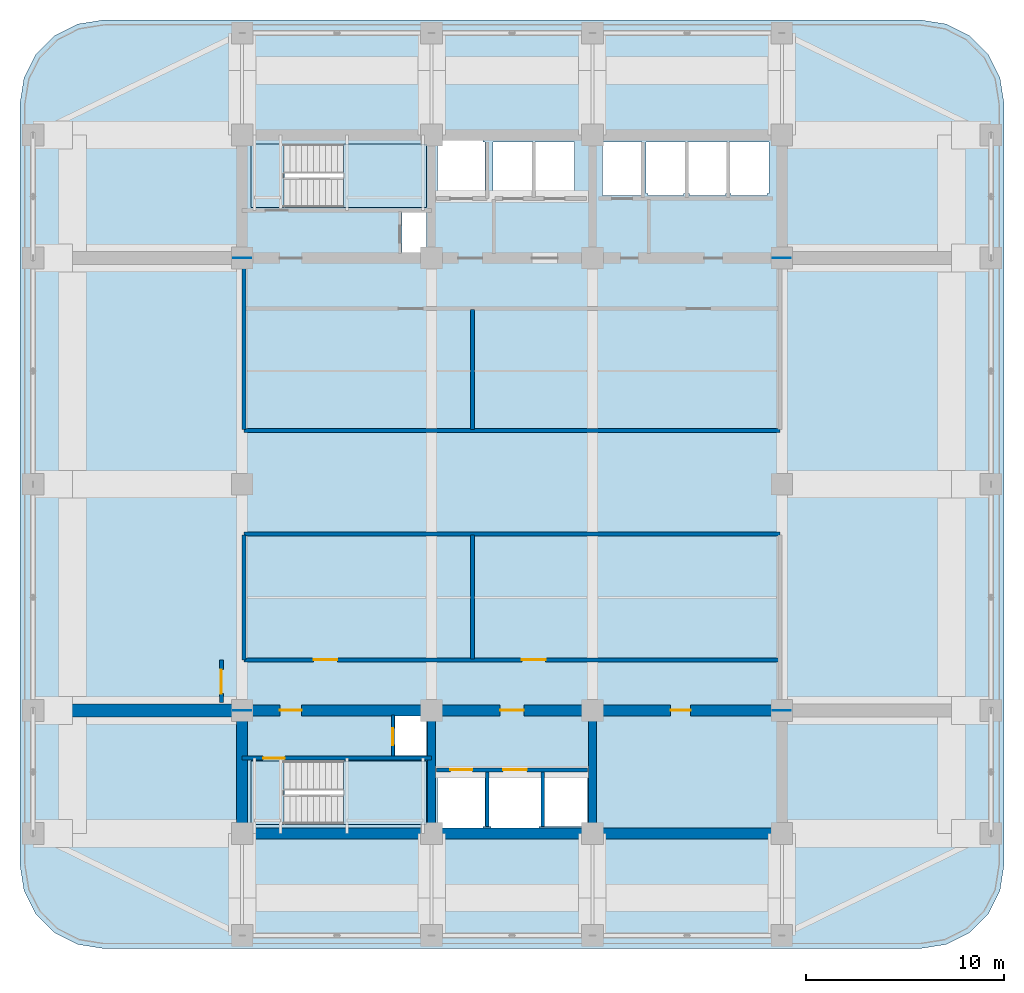
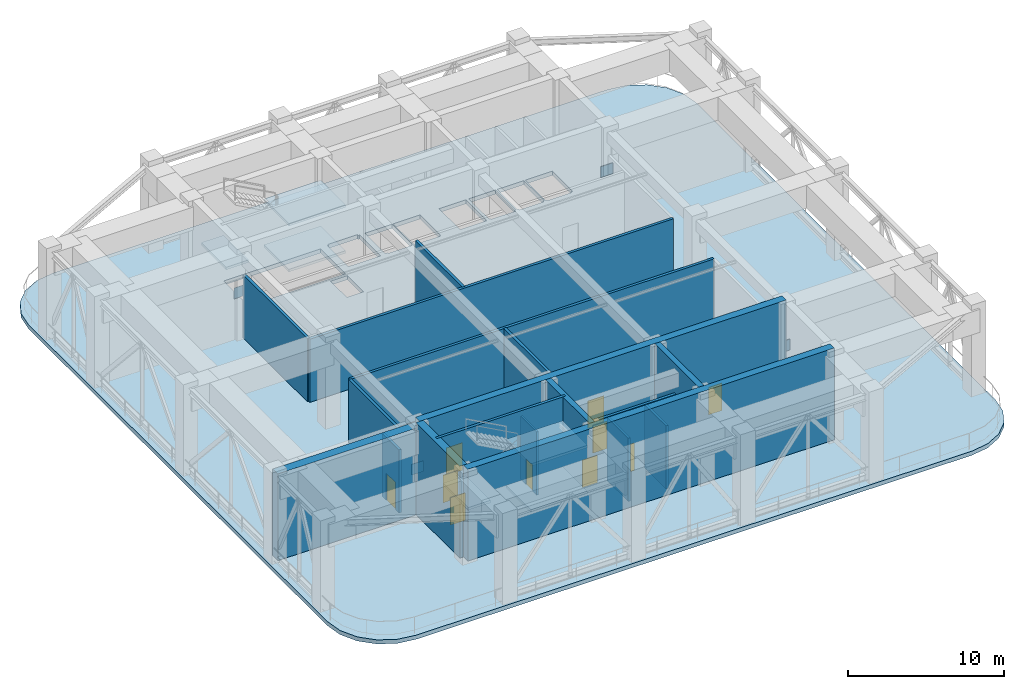
# One storey, part 10 of 20: 19 walls, 10 doors, 7 slabs, 4 plates, 10 openings, 2 elements without a shape of their own.
"""IFC4 building model written with IfcOpenShell, lengths in metres."""

from ifc_helpers import new_model, si_unit, direction, frame, frame_2d, origin, origin_2d, place, context, subcontext, project, spatial, polyline, rectangle, outline, extrude, material, layer, layer_set, type_object, element, fill, aggregate, save


model = new_model("IFC4")

# Units and contexts
model_context = context("Model", 3, precision=1e-05, world=origin(), true_north=direction((0.0, 1.0)))
body_context = subcontext(model_context, "Body", "Model", "MODEL_VIEW")
ifc_project = project(units=[si_unit("LENGTHUNIT", "METRE"), si_unit("AREAUNIT", "SQUARE_METRE"), si_unit("VOLUMEUNIT", "CUBIC_METRE"), si_unit("PLANEANGLEUNIT", "RADIAN"), si_unit("MASSUNIT", "GRAM", prefix="KILO")], contexts=[model_context])

# Site, building, storey
site_placement = place(None, origin())
site = spatial("IfcSite", under=ifc_project, at=site_placement, CompositionType="ELEMENT")
building_placement = place(site_placement, origin())
building = spatial("IfcBuilding", under=site, at=building_placement, Name="Svetorya Sky Lyceum", CompositionType="ELEMENT")
storey_placement = place(building_placement, frame((0.0, 0.0, 136.39990234375)))
storey = spatial("IfcBuildingStorey", under=building, at=storey_placement, Name="L34", CompositionType="ELEMENT", Elevation=136.39990234375)

# Plates
ifc_material_1 = material(Name="Steel S355", Category="steel")
ifc_layer_1 = layer(ifc_material_1, 0.031982421875)
ifc_layer_set_1 = layer_set([ifc_layer_1], Name="Steel S355")
plate_type = type_object("IfcPlateType", Name="PL-GUSSET-32", PredefinedType="USERDEFINED", material=ifc_layer_set_1)
for number, where, z_axis, x_axis, name in (
    (1, (25.60009765625, 16.800048828125, 2.97509765625), (0.0, 0.0, 1.0), (1.0, 0.0, 0.0), "L34 Outrigger Core Gusset Plate 1"),
    (2, (52.800048828125, 16.800048828125, 2.97509765625), (0.0, 0.0, 1.0), (1.0, 0.0, 0.0), "L34 Outrigger Core Gusset Plate 2"),
    (3, (25.60009765625, 39.60009765625, 2.97509765625), (0.0, 0.0, 1.0), (1.0, 0.0, 0.0), "L34 Outrigger Core Gusset Plate 3"),
    (4, (52.800048828125, 39.60009765625, 2.97509765625), (0.0, 0.0, 1.0), (1.0, 0.0, 0.0), "L34 Outrigger Core Gusset Plate 4"),
):
    element("IfcPlate", number, at=place(storey_placement, frame(where, z_axis=z_axis, x_axis=x_axis)), inside=storey, type_object=plate_type, Name=name, ObjectType="GUSSET", PredefinedType="USERDEFINED", context=body_context, shape_type="SweptSolid", body=[
        extrude(rectangle(XDim=0.89990234375, YDim=0.031982421875, at=origin_2d()), origin(), (0.0, 0.0, 1.0), 0.85009765625),
    ])

# Slab
ifc_material_2 = material(Name="Concrete C50/60", Category="concrete")
ifc_layer_2 = layer(ifc_material_2, 0.320068359375)
ifc_layer_set_2 = layer_set([ifc_layer_2], Name="Concrete C50/60")
slab_type_1 = type_object("IfcSlabType", Name="SL-PRT-320", PredefinedType="FLOOR", material=ifc_layer_set_2)
slab_1_placement = place(storey_placement, frame((0.0, 0.0, -0.31982421875)))
element("IfcSlab", 5, at=slab_1_placement, inside=storey, type_object=slab_type_1, Name="L34 Structural Floor Slab", PredefinedType="FLOOR", context=body_context, shape_type="SweptSolid", body=[
    extrude(outline(polyline([(14.39990234375, 9.0), (14.605712890625, 7.7021484375), (15.2021484375, 6.53125), (16.13134765625, 5.60205078125), (17.302001953125, 5.005615234375), (18.60009765625, 4.800048828125), (59.800048828125, 4.800048828125), (61.097900390625, 5.005615234375), (62.268798828125, 5.60205078125), (63.197998046875, 6.53125), (63.79443359375, 7.7021484375), (64.0, 9.0), (64.0, 47.39990234375), (63.79443359375, 48.697998046875), (63.197998046875, 49.86865234375), (62.268798828125, 50.7978515625), (61.097900390625, 51.394287109375), (59.800048828125, 51.60009765625), (18.60009765625, 51.60009765625), (17.302001953125, 51.394287109375), (16.13134765625, 50.7978515625), (15.2021484375, 49.86865234375), (14.605712890625, 48.697998046875), (14.39990234375, 47.39990234375), (14.39990234375, 9.0)]), holes=[polyline([(37.85009765625, 10.949951171875), (37.75, 10.949951171875), (37.75, 10.85009765625), (35.550048828125, 10.85009765625), (35.550048828125, 10.949951171875), (35.449951171875, 10.949951171875), (35.449951171875, 13.64990234375), (35.550048828125, 13.64990234375), (37.75, 13.64990234375), (37.85009765625, 13.64990234375), (37.85009765625, 10.949951171875)]), polyline([(40.64990234375, 13.64990234375), (40.64990234375, 10.949951171875), (40.550048828125, 10.949951171875), (40.550048828125, 10.800048828125), (38.14990234375, 10.800048828125), (38.14990234375, 10.949951171875), (38.050048828125, 10.949951171875), (38.050048828125, 13.64990234375), (38.14990234375, 13.64990234375), (38.14990234375, 13.699951171875), (40.550048828125, 13.699951171875), (40.550048828125, 13.64990234375), (40.64990234375, 13.64990234375)]), polyline([(27.719970703125, 14.25), (34.89990234375, 14.25), (34.89990234375, 11.050048828125), (27.719970703125, 11.050048828125), (27.719970703125, 14.25)]), polyline([(33.300048828125, 14.52001953125), (33.300048828125, 16.580078125), (34.89990234375, 16.580078125), (34.89990234375, 14.52001953125), (33.300048828125, 14.52001953125)]), polyline([(33.64990234375, 41.89990234375), (34.89990234375, 41.89990234375), (34.89990234375, 39.820068359375), (33.64990234375, 39.820068359375), (33.64990234375, 41.89990234375)]), polyline([(27.719970703125, 45.35009765625), (34.89990234375, 45.35009765625), (34.89990234375, 42.14990234375), (27.719970703125, 42.14990234375), (27.719970703125, 45.35009765625)]), polyline([(37.75, 45.550048828125), (37.75, 45.449951171875), (37.85009765625, 45.449951171875), (37.85009765625, 42.75), (37.75, 42.75), (35.550048828125, 42.75), (35.449951171875, 42.75), (35.449951171875, 45.449951171875), (35.550048828125, 45.449951171875), (35.550048828125, 45.550048828125), (37.75, 45.550048828125)]), polyline([(38.39990234375, 42.85009765625), (38.25, 42.85009765625), (38.25, 45.449951171875), (38.39990234375, 45.449951171875), (40.199951171875, 45.449951171875), (40.25, 45.449951171875), (40.25, 42.85009765625), (40.199951171875, 42.85009765625), (40.199951171875, 42.75), (38.39990234375, 42.75), (38.39990234375, 42.85009765625)]), polyline([(40.85009765625, 13.64990234375), (43.0, 13.64990234375), (43.0, 10.949951171875), (40.85009765625, 10.949951171875), (40.85009765625, 13.64990234375)]), polyline([(40.39990234375, 42.85009765625), (40.35009765625, 42.85009765625), (40.35009765625, 45.449951171875), (40.39990234375, 45.449951171875), (42.300048828125, 45.449951171875), (42.35009765625, 45.449951171875), (42.35009765625, 42.85009765625), (42.300048828125, 42.85009765625), (42.300048828125, 42.75), (40.39990234375, 42.75), (40.39990234375, 42.85009765625)]), polyline([(43.75, 42.75), (43.75, 42.85009765625), (43.75, 45.449951171875), (45.699951171875, 45.449951171875), (45.75, 45.449951171875), (45.75, 42.85009765625), (45.699951171875, 42.85009765625), (45.699951171875, 42.75), (43.75, 42.75)]), polyline([(46.050048828125, 42.85009765625), (45.949951171875, 42.85009765625), (45.949951171875, 45.449951171875), (46.050048828125, 45.449951171875), (47.85009765625, 45.449951171875), (47.949951171875, 45.449951171875), (47.949951171875, 42.85009765625), (47.85009765625, 42.85009765625), (47.85009765625, 42.75), (46.050048828125, 42.75), (46.050048828125, 42.85009765625)]), polyline([(48.14990234375, 42.85009765625), (48.050048828125, 42.85009765625), (48.050048828125, 45.449951171875), (48.14990234375, 45.449951171875), (49.949951171875, 45.449951171875), (50.050048828125, 45.449951171875), (50.050048828125, 42.85009765625), (49.949951171875, 42.85009765625), (49.949951171875, 42.75), (48.14990234375, 42.75), (48.14990234375, 42.85009765625)]), polyline([(52.14990234375, 42.85009765625), (52.050048828125, 42.85009765625), (52.050048828125, 42.75), (50.25, 42.75), (50.25, 42.85009765625), (50.14990234375, 42.85009765625), (50.14990234375, 45.449951171875), (50.25, 45.449951171875), (52.050048828125, 45.449951171875), (52.14990234375, 45.449951171875), (52.14990234375, 42.85009765625)])]), origin(), (0.0, 0.0, 1.0), 0.31982421875),
])

# Stair, slabs
ifc_material_3 = material(Name="Concrete C40/50", Category="concrete")
stair_type_1 = type_object("IfcStairType", Name="STR-ST-S", PredefinedType="HALF_TURN_STAIR", material=ifc_material_3)
stair_1_placement = place(storey_placement, origin())
stair_1 = element("IfcStair", 6, at=stair_1_placement, inside=storey, type_object=stair_type_1, Name="L34 South Core Smoke-Free Exit Stair N2", PredefinedType="HALF_TURN_STAIR")
ifc_layer_3 = layer(ifc_material_3, 0.199951171875)
ifc_layer_set_3 = layer_set([ifc_layer_3], Name="Concrete C40/50")
slab_type_2 = type_object("IfcSlabType", Name="SL-STR-LAND-200", PredefinedType="LANDING", material=ifc_layer_set_3)
slab_2_placement = place(storey_placement, frame((0.0, 0.0, 1.60009765625)))
slab_2 = element("IfcSlab", 7, at=slab_2_placement, type_object=slab_type_2, Name="ST-S landing 1", PredefinedType="LANDING", context=body_context, shape_type="SweptSolid", body=[
    extrude(outline(polyline([(30.699951171875, 11.050048828125), (34.89990234375, 11.050048828125), (34.89990234375, 14.25), (30.699951171875, 14.25), (30.699951171875, 11.050048828125)])), origin(), (0.0, 0.0, 1.0), 0.199951171875),
])
slab_3_placement = place(storey_placement, frame((0.0, 0.0, 3.400146484375)))
slab_3 = element("IfcSlab", 8, at=slab_3_placement, type_object=slab_type_2, Name="ST-S landing 2", PredefinedType="LANDING", context=body_context, shape_type="SweptSolid", body=[
    extrude(outline(polyline([(26.050048828125, 11.050048828125), (27.699951171875, 11.050048828125), (27.699951171875, 14.25), (26.050048828125, 14.25), (26.050048828125, 11.050048828125)])), origin(), (0.0, 0.0, 1.0), 0.199951171875),
])
slab_4_placement = place(storey_placement, frame((0.0, 0.0, 5.2001953125)))
slab_4 = element("IfcSlab", 9, at=slab_4_placement, type_object=slab_type_2, Name="ST-S landing 3", PredefinedType="LANDING", context=body_context, shape_type="SweptSolid", body=[
    extrude(outline(polyline([(30.699951171875, 11.050048828125), (34.89990234375, 11.050048828125), (34.89990234375, 14.25), (30.699951171875, 14.25), (30.699951171875, 11.050048828125)])), origin(), (0.0, 0.0, 1.0), 0.199951171875),
])
aggregate(stair_1, [slab_2, slab_3, slab_4])

stair_type_2 = type_object("IfcStairType", Name="STR-ST-N", PredefinedType="HALF_TURN_STAIR", material=ifc_material_3)
stair_2_placement = place(storey_placement, origin())
stair_2 = element("IfcStair", 10, at=stair_2_placement, inside=storey, type_object=stair_type_2, Name="L34 North Core Smoke-Free Exit Stair N3", PredefinedType="HALF_TURN_STAIR")
slab_5_placement = place(storey_placement, frame((0.0, 0.0, 1.60009765625)))
slab_5 = element("IfcSlab", 11, at=slab_5_placement, type_object=slab_type_2, Name="ST-N landing 1", PredefinedType="LANDING", context=body_context, shape_type="SweptSolid", body=[
    extrude(outline(polyline([(30.699951171875, 42.14990234375), (34.89990234375, 42.14990234375), (34.89990234375, 45.35009765625), (30.699951171875, 45.35009765625), (30.699951171875, 42.14990234375)])), origin(), (0.0, 0.0, 1.0), 0.199951171875),
])
slab_6_placement = place(storey_placement, frame((0.0, 0.0, 3.400146484375)))
slab_6 = element("IfcSlab", 12, at=slab_6_placement, type_object=slab_type_2, Name="ST-N landing 2", PredefinedType="LANDING", context=body_context, shape_type="SweptSolid", body=[
    extrude(outline(polyline([(26.050048828125, 42.14990234375), (27.699951171875, 42.14990234375), (27.699951171875, 45.35009765625), (26.050048828125, 45.35009765625), (26.050048828125, 42.14990234375)])), origin(), (0.0, 0.0, 1.0), 0.199951171875),
])
slab_7_placement = place(storey_placement, frame((0.0, 0.0, 5.2001953125)))
slab_7 = element("IfcSlab", 13, at=slab_7_placement, type_object=slab_type_2, Name="ST-N landing 3", PredefinedType="LANDING", context=body_context, shape_type="SweptSolid", body=[
    extrude(outline(polyline([(30.699951171875, 42.14990234375), (34.89990234375, 42.14990234375), (34.89990234375, 45.35009765625), (30.699951171875, 45.35009765625), (30.699951171875, 42.14990234375)])), origin(), (0.0, 0.0, 1.0), 0.199951171875),
])
aggregate(stair_2, [slab_5, slab_6, slab_7])

# Walls
ifc_layer_4 = layer(ifc_material_3, 0.39990234375)
ifc_layer_set_4 = layer_set([ifc_layer_4], Name="Concrete C40/50")
wall_type_1 = type_object("IfcWallType", Name="WL-CORE-400", PredefinedType="SHEAR", material=ifc_layer_set_4)
for number, where, z_axis, x_axis, name in (
    (14, (35.14990234375, 10.875, 0.0), (0.0, 0.0, 1.0), (0.0, 1.0, 0.0), "L34 SC Internal Shear Web WEB1"),
    (15, (43.25, 10.875, 0.0), (0.0, 0.0, 1.0), (0.0, 1.0, 0.0), "L34 SC Internal Shear Web WEB2"),
):
    element("IfcWall", number, at=place(storey_placement, frame(where, z_axis=z_axis, x_axis=x_axis)), inside=storey, type_object=wall_type_1, Name=name, PredefinedType="SHEAR", context=body_context, shape_type="SweptSolid", body=[
        extrude(rectangle(XDim=5.64990234375, YDim=0.39990234375, at=frame_2d((2.824951171875, 0.0))), origin(), (0.0, 0.0, 1.0), 7.2001953125),
    ])
ifc_material_4 = material(Name="Concrete C60/75", Category="concrete")
ifc_layer_5 = layer(ifc_material_4, 0.550048828125)
ifc_layer_set_5 = layer_set([ifc_layer_5], Name="Concrete C60/75")
wall_type_2 = type_object("IfcWallType", Name="WL-CORE-550", PredefinedType="SHEAR", material=ifc_layer_set_5)
wall_1_placement = place(storey_placement, frame((52.800048828125, 10.60009765625, 0.0), z_axis=(0.0, 0.0, 1.0), x_axis=(-1.0, 0.0, 0.0)))
element("IfcWall", 16, at=wall_1_placement, inside=storey, type_object=wall_type_2, Name="L34 SC Outer Core Shear Wall", PredefinedType="SHEAR", context=body_context, shape_type="SweptSolid", body=[
    extrude(rectangle(XDim=27.199951171875, YDim=0.550048828125, at=frame_2d((13.60009765625, 0.0))), origin(), (0.0, 0.0, 1.0), 7.2001953125),
])
wall_2_placement = place(storey_placement, frame((25.60009765625, 10.875, 0.0), z_axis=(0.0, 0.0, 1.0), x_axis=(0.0, 1.0, 0.0)))
element("IfcWall", 17, at=wall_2_placement, inside=storey, type_object=wall_type_2, Name="L34 SC West Core Shear Wall", PredefinedType="SHEAR", context=body_context, shape_type="SweptSolid", body=[
    extrude(rectangle(XDim=5.64990234375, YDim=0.550048828125, at=frame_2d((2.824951171875, 0.0))), origin(), (0.0, 0.0, 1.0), 7.2001953125),
])

# Wall, openings, doors
wall_3_placement = place(storey_placement, frame((25.60009765625, 16.800048828125, 0.0), z_axis=(0.0, 0.0, 1.0), x_axis=(1.0, 0.0, 0.0)))
wall_3 = element("IfcWall", 18, at=wall_3_placement, inside=storey, type_object=wall_type_2, Name="L34 SC Inner Core Shear Wall", PredefinedType="SHEAR", context=body_context, shape_type="SweptSolid", body=[
    extrude(rectangle(XDim=27.199951171875, YDim=0.550048828125, at=frame_2d((13.60009765625, 0.0))), origin(), (0.0, 0.0, 1.0), 7.2001953125),
])
opening_1_placement = place(wall_3_placement, frame((1.89990234375, 0.0, 0.0)))
opening_1 = element("IfcOpeningElement", 19, at=opening_1_placement, cuts=wall_3, Name="Opening D-ST1", PredefinedType="OPENING", context=body_context, shape_type="SweptSolid", body=[
    extrude(rectangle(XDim=1.10009765625, YDim=2.14990234375, at=frame_2d((0.550048828125, 1.074951171875))), frame((0.0, 0.284912109375, 0.0), z_axis=(0.0, -1.0, 0.0), x_axis=(1.0, 0.0, 0.0)), (0.0, 0.0, 1.0), 0.570068359375),
])
opening_2_placement = place(wall_3_placement, frame((13.0, 0.0, 0.0)))
opening_2 = element("IfcOpeningElement", 20, at=opening_2_placement, cuts=wall_3, Name="Opening D-FL1", PredefinedType="OPENING", context=body_context, shape_type="SweptSolid", body=[
    extrude(rectangle(XDim=1.199951171875, YDim=2.14990234375, at=frame_2d((0.60009765625, 1.074951171875))), frame((0.0, 0.284912109375, 0.0), z_axis=(0.0, -1.0, 0.0), x_axis=(1.0, 0.0, 0.0)), (0.0, 0.0, 1.0), 0.570068359375),
])
opening_3_placement = place(wall_3_placement, frame((21.60009765625, 0.0, 0.0)))
opening_3 = element("IfcOpeningElement", 21, at=opening_3_placement, cuts=wall_3, Name="Opening D-RM2", PredefinedType="OPENING", context=body_context, shape_type="SweptSolid", body=[
    extrude(rectangle(XDim=1.0, YDim=2.14990234375, at=frame_2d((0.5, 1.074951171875))), frame((0.0, 0.284912109375, 0.0), z_axis=(0.0, -1.0, 0.0), x_axis=(1.0, 0.0, 0.0)), (0.0, 0.0, 1.0), 0.570068359375),
])
ifc_material_5 = material(Name="Powder-coated insulated galvanized stair fire door")
door_type_1 = type_object("IfcDoorType", Name="DR-FIRE-1100", OperationType="SINGLE_SWING_LEFT", PredefinedType="DOOR", material=ifc_material_5)
door_1_placement = place(opening_1_placement, origin())
door_1 = element("IfcDoor", 22, at=door_1_placement, inside=storey, type_object=door_type_1, Name="L34 South Stair Airlock Door", OperationType="SINGLE_SWING_RIGHT", OverallHeight=2.14990234375, OverallWidth=1.10009765625, PredefinedType="DOOR", context=body_context, shape_type="SweptSolid", body=[
    extrude(rectangle(XDim=1.10009765625, YDim=2.14990234375, at=frame_2d((0.550048828125, 1.074951171875))), frame((0.0, 0.02490234375, 0.0), z_axis=(0.0, -1.0, 0.0), x_axis=(1.0, 0.0, 0.0)), (0.0, 0.0, 1.0), 0.050048828125),
])
fill(opening_1, door_1)
ifc_material_6 = material(Name="Powder-coated insulated galvanized fire door")
door_type_2 = type_object("IfcDoorType", Name="DR-FIRE-1200", OperationType="SINGLE_SWING_LEFT", PredefinedType="DOOR", material=ifc_material_6)
door_2_placement = place(opening_2_placement, origin())
door_2 = element("IfcDoor", 23, at=door_2_placement, inside=storey, type_object=door_type_2, Name="L34 South Firefighting Lift Lobby Door", OperationType="SINGLE_SWING_LEFT", OverallHeight=2.14990234375, OverallWidth=1.199951171875, PredefinedType="DOOR", context=body_context, shape_type="SweptSolid", body=[
    extrude(rectangle(XDim=1.199951171875, YDim=2.14990234375, at=frame_2d((0.60009765625, 1.074951171875))), frame((0.0, 0.02490234375, 0.0), z_axis=(0.0, -1.0, 0.0), x_axis=(1.0, 0.0, 0.0)), (0.0, 0.0, 1.0), 0.050048828125),
])
fill(opening_2, door_2)
ifc_material_7 = material(Name="Solid-core oak acoustic room door")
door_type_3 = type_object("IfcDoorType", Name="DR-INT-1000", OperationType="SINGLE_SWING_LEFT", PredefinedType="DOOR", material=ifc_material_7)
door_3_placement = place(opening_3_placement, origin())
door_3 = element("IfcDoor", 24, at=door_3_placement, inside=storey, type_object=door_type_3, Name="L34 Trunk Store Door", OperationType="SINGLE_SWING_LEFT", OverallHeight=2.14990234375, OverallWidth=1.0, PredefinedType="DOOR", context=body_context, shape_type="SweptSolid", body=[
    extrude(rectangle(XDim=1.0, YDim=2.14990234375, at=frame_2d((0.5, 1.074951171875))), frame((0.0, 0.02490234375, 0.0), z_axis=(0.0, -1.0, 0.0), x_axis=(1.0, 0.0, 0.0)), (0.0, 0.0, 1.0), 0.050048828125),
])
fill(opening_3, door_3)

# Wall
ifc_layer_6 = layer(ifc_material_4, 0.64990234375)
ifc_layer_set_6 = layer_set([ifc_layer_6], Name="Concrete C60/75")
wall_type_3 = type_object("IfcWallType", Name="WL-OUTRIGGER-650", PredefinedType="SHEAR", material=ifc_layer_set_6)
wall_4_placement = place(storey_placement, frame((15.050048828125, 16.800048828125, 0.0), z_axis=(0.0, 0.0, 1.0), x_axis=(1.0, 0.0, 0.0)))
element("IfcWall", 25, at=wall_4_placement, inside=storey, type_object=wall_type_3, Name="L34 Concrete Outrigger Wall SW", PredefinedType="SHEAR", context=body_context, shape_type="SweptSolid", body=[
    extrude(rectangle(XDim=10.550048828125, YDim=0.64990234375, at=frame_2d((5.27490234375, 0.0))), origin(), (0.0, 0.0, 1.0), 6.800048828125),
])

# Wall, opening, door
ifc_material_8 = material(Name="Autoclaved cellular masonry blockwork with acoustic render", Category="masonry")
ifc_layer_7 = layer(ifc_material_8, 0.14990234375)
ifc_layer_set_7 = layer_set([ifc_layer_7], Name="Autoclaved cellular masonry blockwork with acoustic render")
wall_type_4 = type_object("IfcWallType", Name="WL-PART-150", PredefinedType="PARTITIONING", material=ifc_layer_set_7)
wall_5_placement = place(storey_placement, frame((33.199951171875, 14.5, 0.0), z_axis=(0.0, 0.0, 1.0), x_axis=(0.0, 1.0, 0.0)))
wall_5 = element("IfcWall", 26, at=wall_5_placement, inside=storey, type_object=wall_type_4, Name="L34 Interior Partition SC-AIRDIV", PredefinedType="PARTITIONING", context=body_context, shape_type="SweptSolid", body=[
    extrude(rectangle(XDim=2.080078125, YDim=0.14990234375, at=frame_2d((1.0400390625, 0.0))), origin(), (0.0, 0.0, 1.0), 4.960205078125),
])
opening_4_placement = place(wall_5_placement, frame((0.550048828125, 0.0, 0.0)))
opening_4 = element("IfcOpeningElement", 27, at=opening_4_placement, cuts=wall_5, Name="Opening D-SH1", PredefinedType="OPENING", context=body_context, shape_type="SweptSolid", body=[
    extrude(rectangle(XDim=0.85009765625, YDim=2.050048828125, at=frame_2d((0.425048828125, 1.02490234375))), frame((0.0, 0.0849609375, 0.0), z_axis=(0.0, -1.0, 0.0), x_axis=(1.0, 0.0, 0.0)), (0.0, 0.0, 1.0), 0.169921875),
])
ifc_material_9 = material(Name="Insulated galvanized riser inspection fire door")
door_type_4 = type_object("IfcDoorType", Name="DR-SHFT-850", OperationType="SINGLE_SWING_LEFT", PredefinedType="TRAPDOOR", material=ifc_material_9)
door_4_placement = place(opening_4_placement, origin())
door_4 = element("IfcDoor", 28, at=door_4_placement, inside=storey, type_object=door_type_4, Name="L34 South Riser Access Door", OperationType="SINGLE_SWING_RIGHT", OverallHeight=2.050048828125, OverallWidth=0.85009765625, PredefinedType="TRAPDOOR", context=body_context, shape_type="SweptSolid", body=[
    extrude(rectangle(XDim=0.85009765625, YDim=2.050048828125, at=frame_2d((0.425048828125, 1.02490234375))), frame((0.0, 0.02490234375, 0.0), z_axis=(0.0, -1.0, 0.0), x_axis=(1.0, 0.0, 0.0)), (0.0, 0.0, 1.0), 0.050048828125),
])
fill(opening_4, door_4)

# Walls
ifc_material_10 = material(Name="Autoclaved cellular masonry blockwork with fire render", Category="masonry")
ifc_layer_8 = layer(ifc_material_10, 0.175048828125)
ifc_layer_set_8 = layer_set([ifc_layer_8], Name="Autoclaved cellular masonry blockwork with fire render")
wall_type_5 = type_object("IfcWallType", Name="WL-PART-175", PredefinedType="PARTITIONING", material=ifc_layer_set_8)
for number, where, z_axis, x_axis, name in (
    (29, (37.949951171875, 10.949951171875, 0.0), (0.0, 0.0, 1.0), (0.0, 1.0, 0.0), "L34 Interior Partition SC-SHD1"),
    (30, (40.75, 10.949951171875, 0.0), (0.0, 0.0, 1.0), (0.0, 1.0, 0.0), "L34 Interior Partition SC-SHD2"),
):
    element("IfcWall", number, at=place(storey_placement, frame(where, z_axis=z_axis, x_axis=x_axis)), inside=storey, type_object=wall_type_5, Name=name, PredefinedType="PARTITIONING", context=body_context, shape_type="SweptSolid", body=[
        extrude(rectangle(XDim=2.75, YDim=0.175048828125, at=frame_2d((1.375, 0.0))), origin(), (0.0, 0.0, 1.0), 4.960205078125),
    ])

# Wall, openings, doors
ifc_material_11 = material(Name="Autoclaved cellular masonry blockwork with gypsum plaster", Category="masonry")
ifc_layer_9 = layer(ifc_material_11, 0.199951171875)
ifc_layer_set_9 = layer_set([ifc_layer_9], Name="Autoclaved cellular masonry blockwork with gypsum plaster")
wall_type_6 = type_object("IfcWallType", Name="WL-PART-200", PredefinedType="PARTITIONING", material=ifc_layer_set_9)
wall_6_placement = place(storey_placement, frame((35.39990234375, 13.800048828125, 0.0), z_axis=(0.0, 0.0, 1.0), x_axis=(1.0, 0.0, 0.0)))
wall_6 = element("IfcWall", 31, at=wall_6_placement, inside=storey, type_object=wall_type_6, Name="L34 Interior Partition SC-FLW", PredefinedType="PARTITIONING", context=body_context, shape_type="SweptSolid", body=[
    extrude(rectangle(XDim=7.60009765625, YDim=0.199951171875, at=frame_2d((3.800048828125, 0.0))), origin(), (0.0, 0.0, 1.0), 4.960205078125),
])
opening_5_placement = place(wall_6_placement, frame((0.699951171875, 0.0, 0.0)))
opening_5 = element("IfcOpeningElement", 32, at=opening_5_placement, cuts=wall_6, Name="Opening LD-FL", PredefinedType="OPENING", context=body_context, shape_type="SweptSolid", body=[
    extrude(rectangle(XDim=1.10009765625, YDim=2.14990234375, at=frame_2d((0.550048828125, 1.074951171875))), frame((0.0, 0.10986328125, 0.0), z_axis=(0.0, -1.0, 0.0), x_axis=(1.0, 0.0, 0.0)), (0.0, 0.0, 1.0), 0.219970703125),
])
opening_6_placement = place(wall_6_placement, frame((3.35009765625, 0.0, 0.0)))
opening_6 = element("IfcOpeningElement", 33, at=opening_6_placement, cuts=wall_6, Name="Opening LD-SV", PredefinedType="OPENING", context=body_context, shape_type="SweptSolid", body=[
    extrude(rectangle(XDim=1.199951171875, YDim=2.14990234375, at=frame_2d((0.60009765625, 1.074951171875))), frame((0.0, 0.10986328125, 0.0), z_axis=(0.0, -1.0, 0.0), x_axis=(1.0, 0.0, 0.0)), (0.0, 0.0, 1.0), 0.219970703125),
])
ifc_material_12 = material(Name="Fire-rated stainless AISI 304 firefighting lift landing door")
door_type_5 = type_object("IfcDoorType", Name="DR-LIFT-1100", OperationType="SLIDING_TO_LEFT", PredefinedType="DOOR", material=ifc_material_12)
door_5_placement = place(opening_5_placement, origin())
door_5 = element("IfcDoor", 34, at=door_5_placement, inside=storey, type_object=door_type_5, Name="L34 Firefighting Lift FL2 Landing Door", OperationType="SLIDING_TO_LEFT", OverallHeight=2.14990234375, OverallWidth=1.10009765625, PredefinedType="DOOR", context=body_context, shape_type="SweptSolid", body=[
    extrude(rectangle(XDim=1.10009765625, YDim=2.14990234375, at=frame_2d((0.550048828125, 1.074951171875))), frame((0.0, 0.02490234375, 0.0), z_axis=(0.0, -1.0, 0.0), x_axis=(1.0, 0.0, 0.0)), (0.0, 0.0, 1.0), 0.050048828125),
])
fill(opening_5, door_5)
ifc_material_13 = material(Name="Brushed stainless AISI 304 telescopic lift landing door")
door_type_6 = type_object("IfcDoorType", Name="DR-LIFT-1200", OperationType="SLIDING_TO_LEFT", PredefinedType="DOOR", material=ifc_material_13)
door_6_placement = place(opening_6_placement, origin())
door_6 = element("IfcDoor", 35, at=door_6_placement, inside=storey, type_object=door_type_6, Name="L34 Service Lift SVL1 Landing Door", OperationType="SLIDING_TO_LEFT", OverallHeight=2.14990234375, OverallWidth=1.199951171875, PredefinedType="DOOR", context=body_context, shape_type="SweptSolid", body=[
    extrude(rectangle(XDim=1.199951171875, YDim=2.14990234375, at=frame_2d((0.60009765625, 1.074951171875))), frame((0.0, 0.02490234375, 0.0), z_axis=(0.0, -1.0, 0.0), x_axis=(1.0, 0.0, 0.0)), (0.0, 0.0, 1.0), 0.050048828125),
])
fill(opening_6, door_6)

wall_7_placement = place(storey_placement, frame((25.699951171875, 19.35009765625, 0.0), z_axis=(0.0, 0.0, 1.0), x_axis=(1.0, 0.0, 0.0)))
wall_7 = element("IfcWall", 36, at=wall_7_placement, inside=storey, type_object=wall_type_6, Name="L34 Interior Partition REF-S-IN", PredefinedType="PARTITIONING", context=body_context, shape_type="SweptSolid", body=[
    extrude(rectangle(XDim=27.0, YDim=0.199951171875, at=frame_2d((13.5, 0.0))), origin(), (0.0, 0.0, 1.0), 4.960205078125),
])
opening_7_placement = place(wall_7_placement, frame((3.5, 0.0, 0.0)))
opening_7 = element("IfcOpeningElement", 37, at=opening_7_placement, cuts=wall_7, Name="Opening D-FL1", PredefinedType="OPENING", context=body_context, shape_type="SweptSolid", body=[
    extrude(rectangle(XDim=1.199951171875, YDim=2.14990234375, at=frame_2d((0.60009765625, 1.074951171875))), frame((0.0, 0.10986328125, 0.0), z_axis=(0.0, -1.0, 0.0), x_axis=(1.0, 0.0, 0.0)), (0.0, 0.0, 1.0), 0.219970703125),
])
opening_8_placement = place(wall_7_placement, frame((14.0, 0.0, 0.0)))
opening_8 = element("IfcOpeningElement", 38, at=opening_8_placement, cuts=wall_7, Name="Opening D-FL1", PredefinedType="OPENING", context=body_context, shape_type="SweptSolid", body=[
    extrude(rectangle(XDim=1.199951171875, YDim=2.14990234375, at=frame_2d((0.60009765625, 1.074951171875))), frame((0.0, 0.10986328125, 0.0), z_axis=(0.0, -1.0, 0.0), x_axis=(1.0, 0.0, 0.0)), (0.0, 0.0, 1.0), 0.219970703125),
])
door_7_placement = place(opening_7_placement, origin())
door_7 = element("IfcDoor", 39, at=door_7_placement, inside=storey, type_object=door_type_2, Name="L34 West Refuge Door", OperationType="SINGLE_SWING_LEFT", OverallHeight=2.14990234375, OverallWidth=1.199951171875, PredefinedType="DOOR", context=body_context, shape_type="SweptSolid", body=[
    extrude(rectangle(XDim=1.199951171875, YDim=2.14990234375, at=frame_2d((0.60009765625, 1.074951171875))), frame((0.0, 0.02490234375, 0.0), z_axis=(0.0, -1.0, 0.0), x_axis=(1.0, 0.0, 0.0)), (0.0, 0.0, 1.0), 0.050048828125),
])
fill(opening_7, door_7)
door_8_placement = place(opening_8_placement, origin())
door_8 = element("IfcDoor", 40, at=door_8_placement, inside=storey, type_object=door_type_2, Name="L34 East Refuge Door", OperationType="SINGLE_SWING_RIGHT", OverallHeight=2.14990234375, OverallWidth=1.199951171875, PredefinedType="DOOR", context=body_context, shape_type="SweptSolid", body=[
    extrude(rectangle(XDim=1.199951171875, YDim=2.14990234375, at=frame_2d((0.60009765625, 1.074951171875))), frame((0.0, 0.02490234375, 0.0), z_axis=(0.0, -1.0, 0.0), x_axis=(1.0, 0.0, 0.0)), (0.0, 0.0, 1.0), 0.050048828125),
])
fill(opening_8, door_8)

# Walls
wall_8_placement = place(storey_placement, frame((25.699951171875, 25.699951171875, 0.0), z_axis=(0.0, 0.0, 1.0), x_axis=(1.0, 0.0, 0.0)))
element("IfcWall", 41, at=wall_8_placement, inside=storey, type_object=wall_type_6, Name="L34 Interior Partition REF-S-OUT", PredefinedType="PARTITIONING", context=body_context, shape_type="SweptSolid", body=[
    extrude(rectangle(XDim=27.0, YDim=0.199951171875, at=frame_2d((13.5, 0.0))), origin(), (0.0, 0.0, 1.0), 4.960205078125),
])
wall_9_placement = place(storey_placement, frame((37.199951171875, 19.39990234375, 0.0), z_axis=(0.0, 0.0, 1.0), x_axis=(0.0, 1.0, 0.0)))
element("IfcWall", 42, at=wall_9_placement, inside=storey, type_object=wall_type_6, Name="L34 Interior Partition REF-S-MID", PredefinedType="PARTITIONING", context=body_context, shape_type="SweptSolid", body=[
    extrude(rectangle(XDim=6.25, YDim=0.199951171875, at=frame_2d((3.125, 0.0))), origin(), (0.0, 0.0, 1.0), 4.960205078125),
])

# Wall, opening, door
wall_10_placement = place(storey_placement, frame((24.550048828125, 17.199951171875, 0.0), z_axis=(0.0, 0.0, 1.0), x_axis=(0.0, 1.0, 0.0)))
wall_10 = element("IfcWall", 43, at=wall_10_placement, inside=storey, type_object=wall_type_6, Name="L34 Interior Partition REF-W-END", PredefinedType="PARTITIONING", context=body_context, shape_type="SweptSolid", body=[
    extrude(rectangle(XDim=2.150146484375, YDim=0.199951171875, at=frame_2d((1.0751953125, 0.0))), origin(), (0.0, 0.0, 1.0), 4.960205078125),
])
opening_9_placement = place(wall_10_placement, frame((0.449951171875, 0.0, 0.0)))
opening_9 = element("IfcOpeningElement", 44, at=opening_9_placement, cuts=wall_10, Name="Opening D-FL1", PredefinedType="OPENING", context=body_context, shape_type="SweptSolid", body=[
    extrude(rectangle(XDim=1.199951171875, YDim=2.14990234375, at=frame_2d((0.60009765625, 1.074951171875))), frame((0.0, 0.10986328125, 0.0), z_axis=(0.0, -1.0, 0.0), x_axis=(1.0, 0.0, 0.0)), (0.0, 0.0, 1.0), 0.219970703125),
])
door_9_placement = place(opening_9_placement, origin())
door_9 = element("IfcDoor", 45, at=door_9_placement, inside=storey, type_object=door_type_2, Name="L34 Wind-Portal Maintenance Deck Door", OperationType="SINGLE_SWING_LEFT", OverallHeight=2.14990234375, OverallWidth=1.199951171875, PredefinedType="DOOR", context=body_context, shape_type="SweptSolid", body=[
    extrude(rectangle(XDim=1.199951171875, YDim=2.14990234375, at=frame_2d((0.60009765625, 1.074951171875))), frame((0.0, 0.02490234375, 0.0), z_axis=(0.0, -1.0, 0.0), x_axis=(1.0, 0.0, 0.0)), (0.0, 0.0, 1.0), 0.050048828125),
])
fill(opening_9, door_9)

# Walls
wall_11_placement = place(storey_placement, frame((25.699951171875, 19.35009765625, 0.0), z_axis=(0.0, 0.0, 1.0), x_axis=(0.0, 1.0, 0.0)))
element("IfcWall", 46, at=wall_11_placement, inside=storey, type_object=wall_type_6, Name="L34 Interior Partition REF-W-END2", PredefinedType="PARTITIONING", context=body_context, shape_type="SweptSolid", body=[
    extrude(rectangle(XDim=6.2998046875, YDim=0.199951171875, at=frame_2d((3.14990234375, 0.0))), origin(), (0.0, 0.0, 1.0), 4.960205078125),
])
wall_12_placement = place(storey_placement, frame((25.699951171875, 30.89990234375, 0.0), z_axis=(0.0, 0.0, 1.0), x_axis=(1.0, 0.0, 0.0)))
element("IfcWall", 47, at=wall_12_placement, inside=storey, type_object=wall_type_6, Name="L34 Interior Partition PLT-N-OUT", PredefinedType="PARTITIONING", context=body_context, shape_type="SweptSolid", body=[
    extrude(rectangle(XDim=27.0, YDim=0.199951171875, at=frame_2d((13.5, 0.0))), origin(), (0.0, 0.0, 1.0), 4.960205078125),
])
wall_13_placement = place(storey_placement, frame((37.199951171875, 30.949951171875, 0.0), z_axis=(0.0, 0.0, 1.0), x_axis=(0.0, 1.0, 0.0)))
element("IfcWall", 48, at=wall_13_placement, inside=storey, type_object=wall_type_6, Name="L34 Interior Partition PLT-N-MID", PredefinedType="PARTITIONING", context=body_context, shape_type="SweptSolid", body=[
    extrude(rectangle(XDim=6.050048828125, YDim=0.199951171875, at=frame_2d((3.02490234375, 0.0))), origin(), (0.0, 0.0, 1.0), 4.960205078125),
])
wall_14_placement = place(storey_placement, frame((25.699951171875, 30.949951171875, 0.0), z_axis=(0.0, 0.0, 1.0), x_axis=(0.0, 1.0, 0.0)))
element("IfcWall", 49, at=wall_14_placement, inside=storey, type_object=wall_type_6, Name="L34 Interior Partition PLT-NW-END", PredefinedType="PARTITIONING", context=body_context, shape_type="SweptSolid", body=[
    extrude(rectangle(XDim=8.25, YDim=0.199951171875, at=frame_2d((4.125, 0.0))), origin(), (0.0, 0.0, 1.0), 4.960205078125),
])

# Wall, opening, door
ifc_layer_10 = layer(ifc_material_2, 0.199951171875)
ifc_layer_set_10 = layer_set([ifc_layer_10], Name="Concrete C50/60")
wall_type_7 = type_object("IfcWallType", Name="WL-SHW-200", PredefinedType="SHEAR", material=ifc_layer_set_10)
wall_15_placement = place(storey_placement, frame((25.60009765625, 14.39990234375, 0.0), z_axis=(0.0, 0.0, 1.0), x_axis=(1.0, 0.0, 0.0)))
wall_15 = element("IfcWall", 50, at=wall_15_placement, inside=storey, type_object=wall_type_7, Name="L34 Structural Stair Shaft Wall SC-STW", PredefinedType="SHEAR", context=body_context, shape_type="SweptSolid", body=[
    extrude(rectangle(XDim=9.5498046875, YDim=0.199951171875, at=frame_2d((4.77490234375, 0.0))), origin(), (0.0, 0.0, 1.0), 7.2001953125),
])
opening_10_placement = place(wall_15_placement, frame((1.050048828125, 0.0, 0.0)))
opening_10 = element("IfcOpeningElement", 51, at=opening_10_placement, cuts=wall_15, Name="Opening D-ST1", PredefinedType="OPENING", context=body_context, shape_type="SweptSolid", body=[
    extrude(rectangle(XDim=1.10009765625, YDim=2.14990234375, at=frame_2d((0.550048828125, 1.074951171875))), frame((0.0, 0.10986328125, 0.0), z_axis=(0.0, -1.0, 0.0), x_axis=(1.0, 0.0, 0.0)), (0.0, 0.0, 1.0), 0.219970703125),
])
door_10_placement = place(opening_10_placement, origin())
door_10 = element("IfcDoor", 52, at=door_10_placement, inside=storey, type_object=door_type_1, Name="L34 Stair ST-S Vestibule Fire Door", OperationType="SINGLE_SWING_LEFT", OverallHeight=2.14990234375, OverallWidth=1.10009765625, PredefinedType="DOOR", context=body_context, shape_type="SweptSolid", body=[
    extrude(rectangle(XDim=1.10009765625, YDim=2.14990234375, at=frame_2d((0.550048828125, 1.074951171875))), frame((0.0, 0.02490234375, 0.0), z_axis=(0.0, -1.0, 0.0), x_axis=(1.0, 0.0, 0.0)), (0.0, 0.0, 1.0), 0.050048828125),
])
fill(opening_10, door_10)

save(model, "model.ifc")
